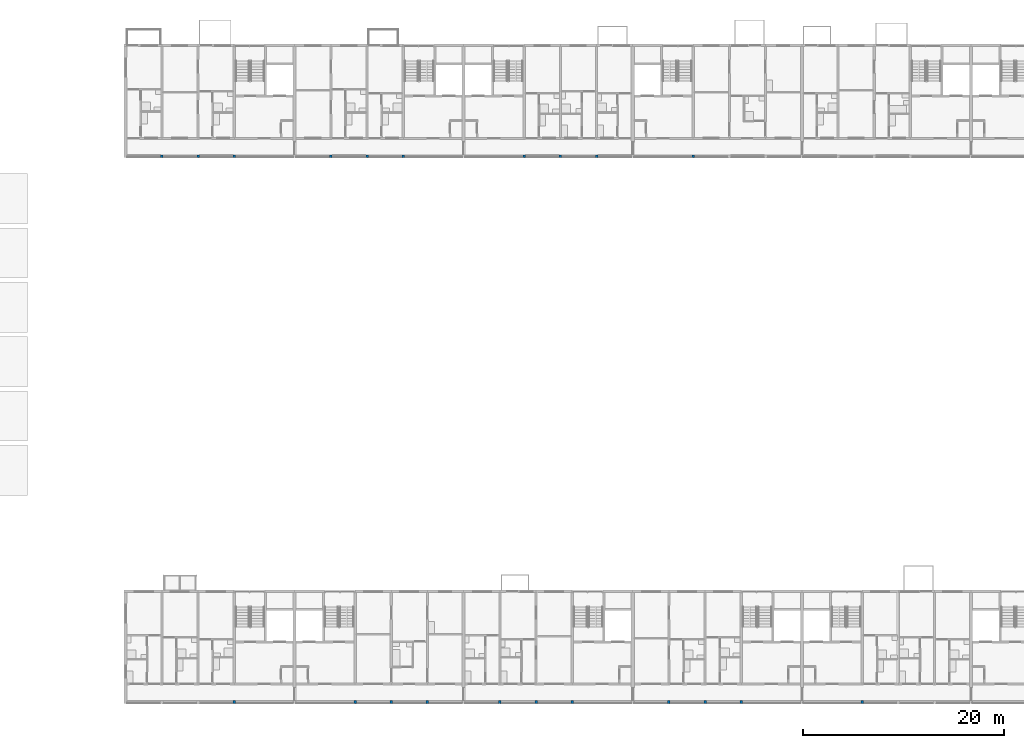
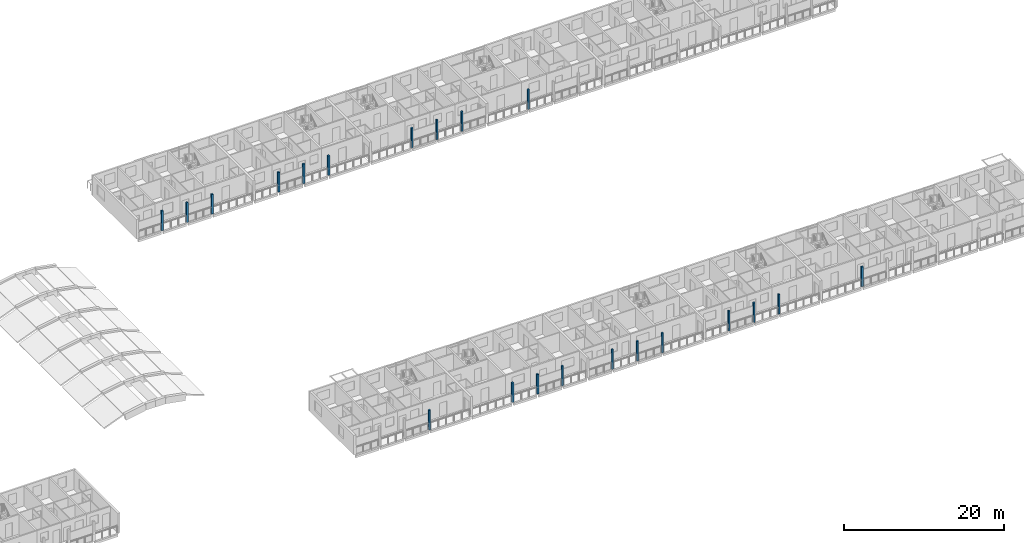
# One storey, part 3 of 93: 21 columns.
"""IFC4 building model written with IfcOpenShell, lengths in metres."""

from ifc_helpers import new_model, si_unit, direction, frame, origin, origin_2d, place, context, subcontext, project, spatial, rectangle, extrude, material, material_profile, profile_set, type_object, element, save


model = new_model("IFC4")

# Units and contexts
model_context = context("Model", 3, precision=1e-05, world=origin(), true_north=direction((0.0, 1.0)))
body_context = subcontext(model_context, "Body", "Model", "MODEL_VIEW")
ifc_project = project(units=[si_unit("LENGTHUNIT", "METRE"), si_unit("AREAUNIT", "SQUARE_METRE"), si_unit("VOLUMEUNIT", "CUBIC_METRE"), si_unit("PLANEANGLEUNIT", "RADIAN"), si_unit("MASSUNIT", "GRAM", prefix="KILO")], contexts=[model_context])

# Site, building, storey
site_placement = place(None, origin())
site = spatial("IfcSite", under=ifc_project, at=site_placement, CompositionType="ELEMENT")
building_placement = place(site_placement, origin())
building = spatial("IfcBuilding", under=site, at=building_placement, Name="Ridgestep Commons", CompositionType="ELEMENT")
storey_placement = place(building_placement, frame((0.0, 0.0, 18.0)))
storey = spatial("IfcBuildingStorey", under=building, at=storey_placement, Name="L06", CompositionType="ELEMENT", Elevation=18.0)

# Columns
ifc_material = material(Name="Precast concrete C40/50", Category="concrete")
ifc_material_profile = material_profile(ifc_material, rectangle(XDim=0.25, YDim=0.25, at=origin_2d()), Name="PC 250x250")
ifc_profile_set = profile_set([ifc_material_profile], Name="Precast concrete C40/50")
column_type = type_object("IfcColumnType", Name="Loggia column 250 x 250", PredefinedType="COLUMN", material=ifc_profile_set)
for number, where, z_axis, x_axis, name in (
    (1, (150.39990234375, 66.125, 0.0), (0.0, 0.0, 1.0), (1.0, 0.0, 0.0), "Loggia column C L06"),
    (2, (154.0, 66.125, 0.0), (0.0, 0.0, 1.0), (1.0, 0.0, 0.0), "Loggia column C L06"),
    (3, (157.60009765625, 66.125, 0.0), (0.0, 0.0, 1.0), (1.0, 0.0, 0.0), "Loggia column C L06"),
    (4, (167.199951171875, 66.125, 0.0), (0.0, 0.0, 1.0), (1.0, 0.0, 0.0), "Loggia column C L06"),
    (5, (170.800048828125, 66.125, 0.0), (0.0, 0.0, 1.0), (1.0, 0.0, 0.0), "Loggia column C L06"),
    (6, (174.39990234375, 66.125, 0.0), (0.0, 0.0, 1.0), (1.0, 0.0, 0.0), "Loggia column C L06"),
    (7, (186.39990234375, 66.125, 0.0), (0.0, 0.0, 1.0), (1.0, 0.0, 0.0), "Loggia column C L06"),
    (8, (190.0, 66.125, 0.0), (0.0, 0.0, 1.0), (1.0, 0.0, 0.0), "Loggia column C L06"),
    (9, (193.60009765625, 66.125, 0.0), (0.0, 0.0, 1.0), (1.0, 0.0, 0.0), "Loggia column C L06"),
    (10, (203.199951171875, 66.125, 0.0), (0.0, 0.0, 1.0), (1.0, 0.0, 0.0), "Loggia column C L06"),
    (11, (157.60009765625, 11.875, 0.0), (0.0, 0.0, 1.0), (1.0, 0.0, 0.0), "Loggia column D L06"),
    (12, (169.60009765625, 11.875, 0.0), (0.0, 0.0, 1.0), (1.0, 0.0, 0.0), "Loggia column D L06"),
    (13, (173.199951171875, 11.875, 0.0), (0.0, 0.0, 1.0), (1.0, 0.0, 0.0), "Loggia column D L06"),
    (14, (176.800048828125, 11.875, 0.0), (0.0, 0.0, 1.0), (1.0, 0.0, 0.0), "Loggia column D L06"),
    (15, (184.0, 11.875, 0.0), (0.0, 0.0, 1.0), (1.0, 0.0, 0.0), "Loggia column D L06"),
    (16, (187.60009765625, 11.875, 0.0), (0.0, 0.0, 1.0), (1.0, 0.0, 0.0), "Loggia column D L06"),
    (17, (191.199951171875, 11.875, 0.0), (0.0, 0.0, 1.0), (1.0, 0.0, 0.0), "Loggia column D L06"),
    (18, (200.800048828125, 11.875, 0.0), (0.0, 0.0, 1.0), (1.0, 0.0, 0.0), "Loggia column D L06"),
    (19, (204.39990234375, 11.875, 0.0), (0.0, 0.0, 1.0), (1.0, 0.0, 0.0), "Loggia column D L06"),
    (20, (208.0, 11.875, 0.0), (0.0, 0.0, 1.0), (1.0, 0.0, 0.0), "Loggia column D L06"),
    (21, (220.0, 11.875, 0.0), (0.0, 0.0, 1.0), (1.0, 0.0, 0.0), "Loggia column D L06"),
):
    element("IfcColumn", number, at=place(storey_placement, frame(where, z_axis=z_axis, x_axis=x_axis)), inside=storey, type_object=column_type, Name=name, PredefinedType="COLUMN", context=body_context, shape_type="SweptSolid", body=[
        extrude(rectangle(XDim=0.25, YDim=0.25, at=origin_2d()), origin(), (0.0, 0.0, 1.0), 3.0),
    ])

save(model, "model.ifc")
